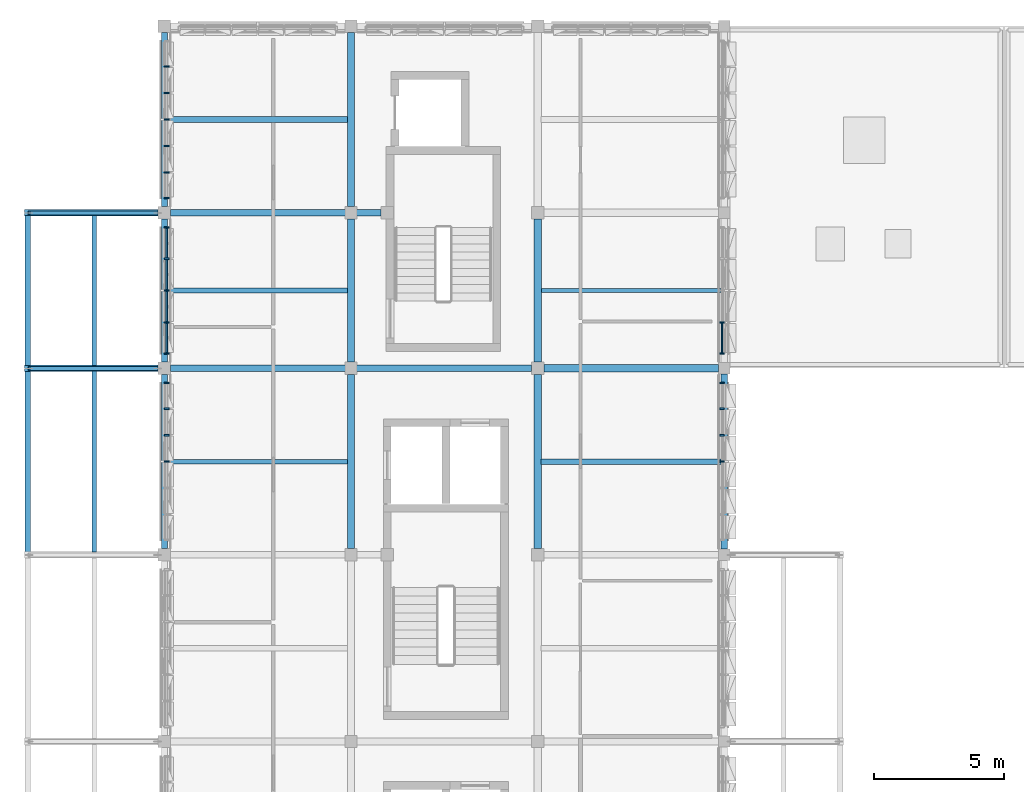
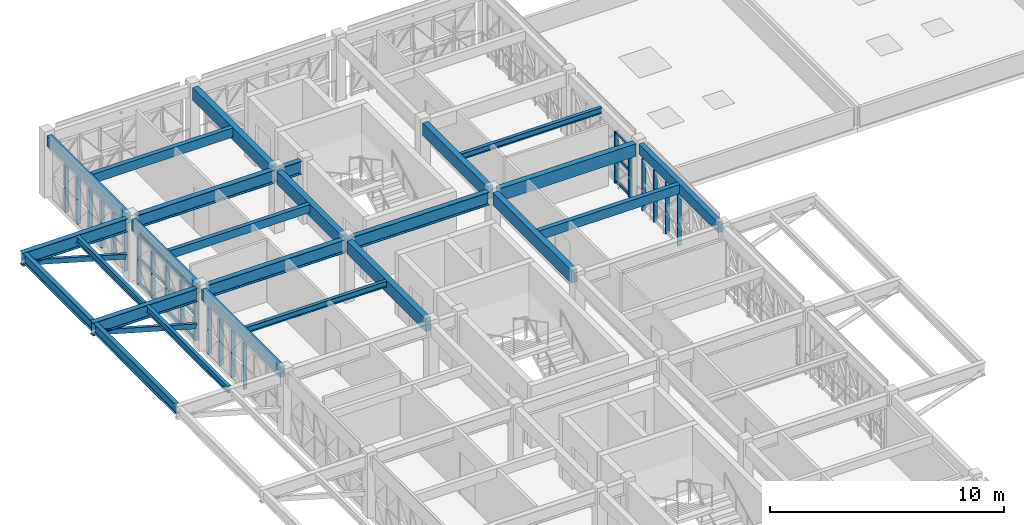
# One storey, part 5 of 30: 38 members, 23 beams, 5 elements without a shape of their own.
"""IFC4 building model written with IfcOpenShell, lengths in metres."""

from ifc_helpers import new_model, si_unit, direction, frame, origin, origin_2d, place, context, subcontext, project, spatial, rectangle, hollow_rectangle, i_section, extrude, material, material_profile, profile_set, type_object, element, aggregate, save


model = new_model("IFC4")

# Units and contexts
model_context = context("Model", 3, precision=1e-05, world=origin(), true_north=direction((0.0, 1.0)))
body_context = subcontext(model_context, "Body", "Model", "MODEL_VIEW")
ifc_project = project(units=[si_unit("LENGTHUNIT", "METRE"), si_unit("AREAUNIT", "SQUARE_METRE"), si_unit("VOLUMEUNIT", "CUBIC_METRE"), si_unit("PLANEANGLEUNIT", "RADIAN"), si_unit("MASSUNIT", "GRAM", prefix="KILO")], contexts=[model_context])

# Site, building, storey
site_placement = place(None, origin())
site = spatial("IfcSite", under=ifc_project, at=site_placement, CompositionType="ELEMENT")
building_placement = place(site_placement, origin())
building = spatial("IfcBuilding", under=site, at=building_placement, Name="Alvorim Cloister Faculty of Sciences", CompositionType="ELEMENT")
storey_placement = place(building_placement, frame((0.0, 0.0, 26.25)))
storey = spatial("IfcBuildingStorey", under=building, at=storey_placement, Name="L07", CompositionType="ELEMENT", Elevation=26.25)

# Beams
ifc_material_1 = material(Name="Glulam GL28h", Category="wood")
ifc_material_profile_1 = material_profile(ifc_material_1, rectangle(XDim=0.280029296875, YDim=0.659912109375, at=origin_2d()), Name="GL28-BM-280x660")
ifc_profile_set_1 = profile_set([ifc_material_profile_1], Name="Glulam GL28h")
beam_type_1 = type_object("IfcBeamType", Name="BM-GL-280x660", PredefinedType="BEAM", material=ifc_profile_set_1)
beam_1_placement = place(storey_placement, frame((21.840087890625, 43.199951171875, 2.909912109375), z_axis=(1.0, 0.0, 0.0), x_axis=(0.0, 1.0, 0.0)))
element("IfcBeam", 1, at=beam_1_placement, inside=storey, type_object=beam_type_1, Name="L07 Primary Beam BM-2121", PredefinedType="BEAM", context=body_context, shape_type="SweptSolid", body=[
    extrude(rectangle(XDim=0.280029296875, YDim=0.659912109375, at=origin_2d()), origin(), (0.0, 0.0, 1.0), 6.739990234375),
])
beam_2_placement = place(storey_placement, frame((14.39990234375, 36.239990234375, 2.909912109375), z_axis=(0.0, 1.0, 0.0), x_axis=(-1.0, 0.0, 0.0)))
element("IfcBeam", 2, at=beam_2_placement, inside=storey, type_object=beam_type_1, Name="L07 Primary Girder BM-2137", PredefinedType="BEAM", context=body_context, shape_type="SweptSolid", body=[
    extrude(rectangle(XDim=0.280029296875, YDim=0.659912109375, at=origin_2d()), origin(), (0.0, 0.0, 1.0), 6.719970703125),
])
beam_3_placement = place(storey_placement, frame((14.39990234375, 43.43994140625, 2.909912109375), z_axis=(0.0, 1.0, 0.0), x_axis=(-1.0, 0.0, 0.0)))
element("IfcBeam", 3, at=beam_3_placement, inside=storey, type_object=beam_type_1, Name="L07 Primary Girder BM-2138", PredefinedType="BEAM", context=body_context, shape_type="SweptSolid", body=[
    extrude(rectangle(XDim=0.280029296875, YDim=0.659912109375, at=origin_2d()), origin(), (0.0, 0.0, 1.0), 5.52001953125),
])
for number, where, z_axis, x_axis, name in (
    (4, (14.39990234375, 49.43994140625, 2.909912109375), (0.0, 1.0, 0.0), (-1.0, 0.0, 0.0), "L07 Primary Girder BM-2139"),
    (5, (21.60009765625, 36.239990234375, 2.909912109375), (0.0, 1.0, 0.0), (-1.0, 0.0, 0.0), "L07 Primary Girder BM-2144"),
):
    element("IfcBeam", number, at=place(storey_placement, frame(where, z_axis=z_axis, x_axis=x_axis)), inside=storey, type_object=beam_type_1, Name=name, PredefinedType="BEAM", context=body_context, shape_type="SweptSolid", body=[
        extrude(rectangle(XDim=0.280029296875, YDim=0.659912109375, at=origin_2d()), origin(), (0.0, 0.0, 1.0), 6.719970703125),
    ])
beam_4_placement = place(storey_placement, frame((21.60009765625, 43.43994140625, 2.909912109375), z_axis=(0.0, 1.0, 0.0), x_axis=(-1.0, 0.0, 0.0)))
element("IfcBeam", 6, at=beam_4_placement, inside=storey, type_object=beam_type_1, Name="L07 Primary Girder BM-2145", PredefinedType="BEAM", context=body_context, shape_type="SweptSolid", body=[
    extrude(rectangle(XDim=0.280029296875, YDim=0.659912109375, at=origin_2d()), origin(), (0.0, 0.0, 1.0), 5.52001953125),
])
ifc_material_profile_2 = material_profile(ifc_material_1, rectangle(XDim=0.199951171875, YDim=0.419921875, at=origin_2d()), Name="GL28-JST-200x420")
ifc_profile_set_2 = profile_set([ifc_material_profile_2], Name="Glulam GL28h")
beam_type_2 = type_object("IfcBeamType", Name="BM-JST-GL-200x420", PredefinedType="JOIST", material=ifc_profile_set_2)
beam_5_placement = place(storey_placement, frame((7.320068359375, 46.199951171875, 3.030029296875), z_axis=(1.0, 0.0, 0.0), x_axis=(0.0, 1.0, 0.0)))
element("IfcBeam", 7, at=beam_5_placement, inside=storey, type_object=beam_type_2, Name="L07 Secondary Floor Joist BM-2159", PredefinedType="JOIST", context=body_context, shape_type="SweptSolid", body=[
    extrude(rectangle(XDim=0.199951171875, YDim=0.419921875, at=origin_2d()), origin(), (0.0, 0.0, 1.0), 6.93994140625),
])
ifc_material_profile_3 = material_profile(ifc_material_1, rectangle(XDim=0.219970703125, YDim=0.47998046875, at=origin_2d()), Name="GL28-JST-220x480")
ifc_profile_set_3 = profile_set([ifc_material_profile_3], Name="Glulam GL28h")
beam_type_3 = type_object("IfcBeamType", Name="BM-JST-GL-220x480", PredefinedType="JOIST", material=ifc_profile_set_3)
for number, where, z_axis, x_axis, name in (
    (8, (7.320068359375, 52.800048828125, 3.0), (1.0, 0.0, 0.0), (0.0, 1.0, 0.0), "L07 Secondary Floor Joist BM-2160"),
    (9, (21.739990234375, 39.60009765625, 3.0), (1.0, 0.0, 0.0), (0.0, 1.0, 0.0), "L07 Secondary Floor Joist BM-2166"),
):
    element("IfcBeam", number, at=place(storey_placement, frame(where, z_axis=z_axis, x_axis=x_axis)), inside=storey, type_object=beam_type_3, Name=name, PredefinedType="JOIST", context=body_context, shape_type="SweptSolid", body=[
        extrude(rectangle(XDim=0.219970703125, YDim=0.47998046875, at=origin_2d()), origin(), (0.0, 0.0, 1.0), 6.93994140625),
    ])
ifc_material_profile_4 = material_profile(ifc_material_1, rectangle(XDim=0.239990234375, YDim=0.5400390625, at=origin_2d()), Name="GL28-SPD-240x540")
ifc_profile_set_4 = profile_set([ifc_material_profile_4], Name="Glulam GL28h")
beam_type_4 = type_object("IfcBeamType", Name="BM-SPD-GL-240x540", PredefinedType="SPANDREL", material=ifc_profile_set_4)
beam_6_placement = place(storey_placement, frame((7.199951171875, 36.239990234375, 2.969970703125), z_axis=(0.0, 1.0, 0.0), x_axis=(-1.0, 0.0, 0.0)))
element("IfcBeam", 10, at=beam_6_placement, inside=storey, type_object=beam_type_4, Name="L07 Primary Girder BM-2130", PredefinedType="SPANDREL", context=body_context, shape_type="SweptSolid", body=[
    extrude(rectangle(XDim=0.239990234375, YDim=0.5400390625, at=origin_2d()), origin(), (0.0, 0.0, 1.0), 6.719970703125),
])
beam_7_placement = place(storey_placement, frame((7.199951171875, 43.43994140625, 2.969970703125), z_axis=(0.0, 1.0, 0.0), x_axis=(-1.0, 0.0, 0.0)))
element("IfcBeam", 11, at=beam_7_placement, inside=storey, type_object=beam_type_4, Name="L07 Primary Girder BM-2131", PredefinedType="SPANDREL", context=body_context, shape_type="SweptSolid", body=[
    extrude(rectangle(XDim=0.239990234375, YDim=0.5400390625, at=origin_2d()), origin(), (0.0, 0.0, 1.0), 5.52001953125),
])
beam_8_placement = place(storey_placement, frame((7.199951171875, 49.43994140625, 2.969970703125), z_axis=(0.0, 1.0, 0.0), x_axis=(-1.0, 0.0, 0.0)))
element("IfcBeam", 12, at=beam_8_placement, inside=storey, type_object=beam_type_4, Name="L07 Primary Girder BM-2132", PredefinedType="SPANDREL", context=body_context, shape_type="SweptSolid", body=[
    extrude(rectangle(XDim=0.239990234375, YDim=0.5400390625, at=origin_2d()), origin(), (0.0, 0.0, 1.0), 6.719970703125),
])
beam_9_placement = place(storey_placement, frame((28.800048828125, 36.219970703125, 2.969970703125), z_axis=(0.0, 1.0, 0.0), x_axis=(-1.0, 0.0, 0.0)))
element("IfcBeam", 13, at=beam_9_placement, inside=storey, type_object=beam_type_4, Name="L07 Primary Girder BM-2151", PredefinedType="SPANDREL", context=body_context, shape_type="SweptSolid", body=[
    extrude(rectangle(XDim=0.239990234375, YDim=0.5400390625, at=origin_2d()), origin(), (0.0, 0.0, 1.0), 6.760009765625),
])
ifc_material_2 = material(Name="Steel ASTM A572 Grade 50", Category="steel")
ifc_material_profile_5 = material_profile(ifc_material_2, i_section(OverallWidth=0.1650390625, OverallDepth=0.31005859375, WebThickness=0.005859375, FlangeThickness=0.009765625, FilletRadius=0.010986328125, at=origin_2d()), Name="W310x38.7")
ifc_profile_set_5 = profile_set([ifc_material_profile_5], Name="Steel ASTM A572 Grade 50")
beam_type_5 = type_object("IfcBeamType", Name="BM-STL-W310", PredefinedType="JOIST", material=ifc_profile_set_5)
for number, where, z_axis, x_axis, name in (
    (14, (7.320068359375, 39.60009765625, 3.0849609375), (1.0, 0.0, 0.0), (0.0, 1.0, 0.0), "L07 Secondary Floor Joist BM-2158"),
    (15, (21.739990234375, 46.199951171875, 3.0849609375), (1.0, 0.0, 0.0), (0.0, 1.0, 0.0), "L07 Secondary Floor Joist BM-2167"),
):
    element("IfcBeam", number, at=place(storey_placement, frame(where, z_axis=z_axis, x_axis=x_axis)), inside=storey, type_object=beam_type_5, Name=name, PredefinedType="JOIST", context=body_context, shape_type="SweptSolid", body=[
        extrude(i_section(OverallWidth=0.1650390625, OverallDepth=0.31005859375, WebThickness=0.005859375, FlangeThickness=0.009765625, FilletRadius=0.010986328125, at=origin_2d()), origin(), (0.0, 0.0, 1.0), 6.93994140625),
    ])
ifc_material_profile_6 = material_profile(ifc_material_2, i_section(OverallWidth=0.1708984375, OverallDepth=0.35498046875, WebThickness=0.007080078125, FlangeThickness=0.01171875, FilletRadius=0.012939453125, at=origin_2d()), Name="W360x51.0")
ifc_profile_set_6 = profile_set([ifc_material_profile_6], Name="Steel ASTM A572 Grade 50")
beam_type_6 = type_object("IfcBeamType", Name="BM-STL-W360", PredefinedType="JOIST", material=ifc_profile_set_6)
beam_10_placement = place(storey_placement, frame((4.5, 36.110107421875, 3.0625), z_axis=(0.0, 1.0, 0.0), x_axis=(-1.0, 0.0, 0.0)))
element("IfcBeam", 16, at=beam_10_placement, inside=storey, type_object=beam_type_6, Name="L07 Cantilever Deck Joist BM-0184", PredefinedType="JOIST", context=body_context, shape_type="SweptSolid", body=[
    extrude(i_section(OverallWidth=0.1708984375, OverallDepth=0.35498046875, WebThickness=0.007080078125, FlangeThickness=0.01171875, FilletRadius=0.012939453125, at=origin_2d()), origin(), (0.0, 0.0, 1.0), 6.97998046875),
])
beam_11_placement = place(storey_placement, frame((4.5, 43.31005859375, 3.0625), z_axis=(0.0, 1.0, 0.0), x_axis=(-1.0, 0.0, 0.0)))
element("IfcBeam", 17, at=beam_11_placement, inside=storey, type_object=beam_type_6, Name="L07 Cantilever Deck Joist BM-0186", PredefinedType="JOIST", context=body_context, shape_type="SweptSolid", body=[
    extrude(i_section(OverallWidth=0.1708984375, OverallDepth=0.35498046875, WebThickness=0.007080078125, FlangeThickness=0.01171875, FilletRadius=0.012939453125, at=origin_2d()), origin(), (0.0, 0.0, 1.0), 5.780029296875),
])
ifc_material_profile_7 = material_profile(ifc_material_2, i_section(OverallWidth=0.208984375, OverallDepth=0.532958984375, WebThickness=0.01025390625, FlangeThickness=0.015625, FilletRadius=0.01611328125, at=origin_2d()), Name="W530x92.0")
ifc_profile_set_7 = profile_set([ifc_material_profile_7], Name="Steel ASTM A572 Grade 50")
beam_type_7 = type_object("IfcBeamType", Name="BM-STL-W530", PredefinedType="BEAM", material=ifc_profile_set_7)
beam_12_placement = place(storey_placement, frame((1.919921875, 36.110107421875, 2.973388671875), z_axis=(0.0, 1.0, 0.0), x_axis=(-1.0, 0.0, 0.0)))
element("IfcBeam", 18, at=beam_12_placement, inside=storey, type_object=beam_type_7, Name="L07 Cantilever Tip Header Girder BM-0183", PredefinedType="BEAM", context=body_context, shape_type="SweptSolid", body=[
    extrude(i_section(OverallWidth=0.208984375, OverallDepth=0.532958984375, WebThickness=0.01025390625, FlangeThickness=0.015625, FilletRadius=0.01611328125, at=origin_2d()), origin(), (0.0, 0.0, 1.0), 6.97998046875),
])
beam_13_placement = place(storey_placement, frame((1.919921875, 43.31005859375, 2.973388671875), z_axis=(0.0, 1.0, 0.0), x_axis=(-1.0, 0.0, 0.0)))
element("IfcBeam", 19, at=beam_13_placement, inside=storey, type_object=beam_type_7, Name="L07 Cantilever Tip Header Girder BM-0185", PredefinedType="BEAM", context=body_context, shape_type="SweptSolid", body=[
    extrude(i_section(OverallWidth=0.208984375, OverallDepth=0.532958984375, WebThickness=0.01025390625, FlangeThickness=0.015625, FilletRadius=0.01611328125, at=origin_2d()), origin(), (0.0, 0.0, 1.0), 5.780029296875),
])
ifc_material_profile_8 = material_profile(ifc_material_2, i_section(OverallWidth=0.25390625, OverallDepth=0.68408203125, WebThickness=0.012451171875, FlangeThickness=0.01904296875, FilletRadius=0.01904296875, at=origin_2d()), Name="W690x140.0")
ifc_profile_set_8 = profile_set([ifc_material_profile_8], Name="Steel ASTM A572 Grade 50")
beam_type_8 = type_object("IfcBeamType", Name="BM-STL-W690", PredefinedType="BEAM", material=ifc_profile_set_8)
beam_14_placement = place(storey_placement, frame((7.43994140625, 43.199951171875, 2.89794921875), z_axis=(1.0, 0.0, 0.0), x_axis=(0.0, 1.0, 0.0)))
element("IfcBeam", 20, at=beam_14_placement, inside=storey, type_object=beam_type_8, Name="L07 Cantilever Backspan Girder BM-0175", PredefinedType="BEAM", context=body_context, shape_type="SweptSolid", body=[
    extrude(i_section(OverallWidth=0.25390625, OverallDepth=0.68408203125, WebThickness=0.012451171875, FlangeThickness=0.01904296875, FilletRadius=0.01904296875, at=origin_2d()), origin(), (0.0, 0.0, 1.0), 13.920166015625),
])
beam_15_placement = place(storey_placement, frame((1.800048828125, 43.199951171875, 2.89794921875), z_axis=(1.0, 0.0, 0.0), x_axis=(0.0, 1.0, 0.0)))
element("IfcBeam", 21, at=beam_15_placement, inside=storey, type_object=beam_type_8, Name="L07 Cantilever Overhang Girder BM-0176", PredefinedType="BEAM", context=body_context, shape_type="SweptSolid", body=[
    extrude(i_section(OverallWidth=0.25390625, OverallDepth=0.68408203125, WebThickness=0.012451171875, FlangeThickness=0.01904296875, FilletRadius=0.01904296875, at=origin_2d()), origin(), (0.0, 0.0, 1.0), 5.159912109375),
])
beam_16_placement = place(storey_placement, frame((7.43994140625, 49.199951171875, 2.89794921875), z_axis=(1.0, 0.0, 0.0), x_axis=(0.0, 1.0, 0.0)))
element("IfcBeam", 22, at=beam_16_placement, inside=storey, type_object=beam_type_8, Name="L07 Cantilever Backspan Girder BM-0177", PredefinedType="BEAM", context=body_context, shape_type="SweptSolid", body=[
    extrude(i_section(OverallWidth=0.25390625, OverallDepth=0.68408203125, WebThickness=0.012451171875, FlangeThickness=0.01904296875, FilletRadius=0.01904296875, at=origin_2d()), origin(), (0.0, 0.0, 1.0), 8.1201171875),
])
beam_17_placement = place(storey_placement, frame((1.800048828125, 49.199951171875, 2.89794921875), z_axis=(1.0, 0.0, 0.0), x_axis=(0.0, 1.0, 0.0)))
element("IfcBeam", 23, at=beam_17_placement, inside=storey, type_object=beam_type_8, Name="L07 Cantilever Overhang Girder BM-0178", PredefinedType="BEAM", context=body_context, shape_type="SweptSolid", body=[
    extrude(i_section(OverallWidth=0.25390625, OverallDepth=0.68408203125, WebThickness=0.012451171875, FlangeThickness=0.01904296875, FilletRadius=0.01904296875, at=origin_2d()), origin(), (0.0, 0.0, 1.0), 5.159912109375),
])

# Curtain wall, members
ifc_material_3 = material(Name="Aluminium and Low-E Glass Curtain Wall", Category="aluminium")
curtain_wall_type_1 = type_object("IfcCurtainWallType", Name="CW-TRI-6120x2700", PredefinedType="USERDEFINED", material=ifc_material_3)
curtain_wall_1_placement = place(storey_placement, origin())
curtain_wall_1 = element("IfcCurtainWall", 24, at=curtain_wall_1_placement, inside=storey, type_object=curtain_wall_type_1, Name="L07 Diagonal Cassette Curtain Wall CW-0269", ObjectType="UNITISED CURTAIN WALL", PredefinedType="USERDEFINED")
ifc_material_4 = material(Name="Aluminium Alloy 6063-T6", Category="aluminium")
ifc_material_profile_9 = material_profile(ifc_material_4, rectangle(XDim=0.06494140625, YDim=0.179931640625, at=origin_2d()), Name="ALU-MUL-65x180")
ifc_profile_set_9 = profile_set([ifc_material_profile_9], Name="Aluminium Alloy 6063-T6")
member_type_1 = type_object("IfcMemberType", Name="CW-MUL-65x180", PredefinedType="MULLION", material=ifc_profile_set_9)
member_1_placement = place(storey_placement, frame((7.2900390625, 39.60009765625, 0.0), z_axis=(0.0, 0.0, 1.0), x_axis=(0.0, 1.0, 0.0)))
member_1 = element("IfcMember", 25, at=member_1_placement, type_object=member_type_1, Name="CW-0269 Mullion 4", PredefinedType="MULLION", context=body_context, shape_type="SweptSolid", body=[
    extrude(rectangle(XDim=0.06494140625, YDim=0.179931640625, at=origin_2d()), origin(), (0.0, 0.0, 1.0), 2.699951171875),
])
member_2_placement = place(storey_placement, frame((7.2900390625, 40.6201171875, 0.0), z_axis=(0.0, 0.0, 1.0), x_axis=(0.0, 1.0, 0.0)))
member_2 = element("IfcMember", 26, at=member_2_placement, type_object=member_type_1, Name="CW-0269 Mullion 5", PredefinedType="MULLION", context=body_context, shape_type="SweptSolid", body=[
    extrude(rectangle(XDim=0.06494140625, YDim=0.179931640625, at=origin_2d()), origin(), (0.0, 0.0, 1.0), 2.699951171875),
])
member_3_placement = place(storey_placement, frame((7.2900390625, 41.639892578125, 0.0), z_axis=(0.0, 0.0, 1.0), x_axis=(0.0, 1.0, 0.0)))
member_3 = element("IfcMember", 27, at=member_3_placement, type_object=member_type_1, Name="CW-0269 Mullion 6", PredefinedType="MULLION", context=body_context, shape_type="SweptSolid", body=[
    extrude(rectangle(XDim=0.06494140625, YDim=0.179931640625, at=origin_2d()), origin(), (0.0, 0.0, 1.0), 2.699951171875),
])
member_4_placement = place(storey_placement, frame((7.2900390625, 42.62744140625, 0.0), z_axis=(0.0, 0.0, 1.0), x_axis=(0.0, 1.0, 0.0)))
member_4 = element("IfcMember", 28, at=member_4_placement, type_object=member_type_1, Name="CW-0269 Mullion 7", PredefinedType="MULLION", context=body_context, shape_type="SweptSolid", body=[
    extrude(rectangle(XDim=0.06494140625, YDim=0.179931640625, at=origin_2d()), origin(), (0.0, 0.0, 1.0), 2.699951171875),
])
aggregate(curtain_wall_1, [member_1, member_2, member_3, member_4])

curtain_wall_type_2 = type_object("IfcCurtainWallType", Name="CW-TRI-4920x2700", PredefinedType="USERDEFINED", material=ifc_material_3)
curtain_wall_2_placement = place(storey_placement, origin())
curtain_wall_2 = element("IfcCurtainWall", 29, at=curtain_wall_2_placement, inside=storey, type_object=curtain_wall_type_2, Name="L07 Diagonal Cassette Curtain Wall CW-0270", ObjectType="UNITISED CURTAIN WALL", PredefinedType="USERDEFINED")
member_5_placement = place(storey_placement, frame((7.2900390625, 43.7724609375, 0.0), z_axis=(0.0, 0.0, 1.0), x_axis=(0.0, 1.0, 0.0)))
member_5 = element("IfcMember", 30, at=member_5_placement, type_object=member_type_1, Name="CW-0270 Mullion 1", PredefinedType="MULLION", context=body_context, shape_type="SweptSolid", body=[
    extrude(rectangle(XDim=0.06494140625, YDim=0.179931640625, at=origin_2d()), origin(), (0.0, 0.0, 1.0), 2.699951171875),
])
member_6_placement = place(storey_placement, frame((7.2900390625, 44.969970703125, 0.0), z_axis=(0.0, 0.0, 1.0), x_axis=(0.0, 1.0, 0.0)))
member_6 = element("IfcMember", 31, at=member_6_placement, type_object=member_type_1, Name="CW-0270 Mullion 2", PredefinedType="MULLION", context=body_context, shape_type="SweptSolid", body=[
    extrude(rectangle(XDim=0.06494140625, YDim=0.179931640625, at=origin_2d()), origin(), (0.0, 0.0, 1.0), 2.699951171875),
])
member_7_placement = place(storey_placement, frame((7.2900390625, 46.199951171875, 0.0), z_axis=(0.0, 0.0, 1.0), x_axis=(0.0, 1.0, 0.0)))
member_7 = element("IfcMember", 32, at=member_7_placement, type_object=member_type_1, Name="CW-0270 Mullion 3", PredefinedType="MULLION", context=body_context, shape_type="SweptSolid", body=[
    extrude(rectangle(XDim=0.06494140625, YDim=0.179931640625, at=origin_2d()), origin(), (0.0, 0.0, 1.0), 2.699951171875),
])
member_8_placement = place(storey_placement, frame((7.2900390625, 47.429931640625, 0.0), z_axis=(0.0, 0.0, 1.0), x_axis=(0.0, 1.0, 0.0)))
member_8 = element("IfcMember", 33, at=member_8_placement, type_object=member_type_1, Name="CW-0270 Mullion 4", PredefinedType="MULLION", context=body_context, shape_type="SweptSolid", body=[
    extrude(rectangle(XDim=0.06494140625, YDim=0.179931640625, at=origin_2d()), origin(), (0.0, 0.0, 1.0), 2.699951171875),
])
member_9_placement = place(storey_placement, frame((7.2900390625, 48.62744140625, 0.0), z_axis=(0.0, 0.0, 1.0), x_axis=(0.0, 1.0, 0.0)))
member_9 = element("IfcMember", 34, at=member_9_placement, type_object=member_type_1, Name="CW-0270 Mullion 5", PredefinedType="MULLION", context=body_context, shape_type="SweptSolid", body=[
    extrude(rectangle(XDim=0.06494140625, YDim=0.179931640625, at=origin_2d()), origin(), (0.0, 0.0, 1.0), 2.699951171875),
])

curtain_wall_3_placement = place(storey_placement, origin())
curtain_wall_3 = element("IfcCurtainWall", 35, at=curtain_wall_3_placement, inside=storey, type_object=curtain_wall_type_1, Name="L07 Diagonal Cassette Curtain Wall CW-0271", ObjectType="UNITISED CURTAIN WALL", PredefinedType="USERDEFINED")
member_10_placement = place(storey_placement, frame((7.2900390625, 49.7724609375, 0.0), z_axis=(0.0, 0.0, 1.0), x_axis=(0.0, 1.0, 0.0)))
member_10 = element("IfcMember", 36, at=member_10_placement, type_object=member_type_1, Name="CW-0271 Mullion 1", PredefinedType="MULLION", context=body_context, shape_type="SweptSolid", body=[
    extrude(rectangle(XDim=0.06494140625, YDim=0.179931640625, at=origin_2d()), origin(), (0.0, 0.0, 1.0), 2.699951171875),
])
member_11_placement = place(storey_placement, frame((7.2900390625, 50.760009765625, 0.0), z_axis=(0.0, 0.0, 1.0), x_axis=(0.0, 1.0, 0.0)))
member_11 = element("IfcMember", 37, at=member_11_placement, type_object=member_type_1, Name="CW-0271 Mullion 2", PredefinedType="MULLION", context=body_context, shape_type="SweptSolid", body=[
    extrude(rectangle(XDim=0.06494140625, YDim=0.179931640625, at=origin_2d()), origin(), (0.0, 0.0, 1.0), 2.699951171875),
])
member_12_placement = place(storey_placement, frame((7.2900390625, 51.780029296875, 0.0), z_axis=(0.0, 0.0, 1.0), x_axis=(0.0, 1.0, 0.0)))
member_12 = element("IfcMember", 38, at=member_12_placement, type_object=member_type_1, Name="CW-0271 Mullion 3", PredefinedType="MULLION", context=body_context, shape_type="SweptSolid", body=[
    extrude(rectangle(XDim=0.06494140625, YDim=0.179931640625, at=origin_2d()), origin(), (0.0, 0.0, 1.0), 2.699951171875),
])
member_13_placement = place(storey_placement, frame((7.2900390625, 52.800048828125, 0.0), z_axis=(0.0, 0.0, 1.0), x_axis=(0.0, 1.0, 0.0)))
member_13 = element("IfcMember", 39, at=member_13_placement, type_object=member_type_1, Name="CW-0271 Mullion 4", PredefinedType="MULLION", context=body_context, shape_type="SweptSolid", body=[
    extrude(rectangle(XDim=0.06494140625, YDim=0.179931640625, at=origin_2d()), origin(), (0.0, 0.0, 1.0), 2.699951171875),
])
member_14_placement = place(storey_placement, frame((7.2900390625, 53.820068359375, 0.0), z_axis=(0.0, 0.0, 1.0), x_axis=(0.0, 1.0, 0.0)))
member_14 = element("IfcMember", 40, at=member_14_placement, type_object=member_type_1, Name="CW-0271 Mullion 5", PredefinedType="MULLION", context=body_context, shape_type="SweptSolid", body=[
    extrude(rectangle(XDim=0.06494140625, YDim=0.179931640625, at=origin_2d()), origin(), (0.0, 0.0, 1.0), 2.699951171875),
])
member_15_placement = place(storey_placement, frame((7.2900390625, 54.840087890625, 0.0), z_axis=(0.0, 0.0, 1.0), x_axis=(0.0, 1.0, 0.0)))
member_15 = element("IfcMember", 41, at=member_15_placement, type_object=member_type_1, Name="CW-0271 Mullion 6", PredefinedType="MULLION", context=body_context, shape_type="SweptSolid", body=[
    extrude(rectangle(XDim=0.06494140625, YDim=0.179931640625, at=origin_2d()), origin(), (0.0, 0.0, 1.0), 2.699951171875),
])
aggregate(curtain_wall_3, [member_10, member_11, member_12, member_13, member_14, member_15])

curtain_wall_4_placement = place(storey_placement, origin())
curtain_wall_4 = element("IfcCurtainWall", 42, at=curtain_wall_4_placement, inside=storey, type_object=curtain_wall_type_2, Name="L07 Diagonal Cassette Curtain Wall CW-0276", ObjectType="UNITISED CURTAIN WALL", PredefinedType="USERDEFINED")
member_16_placement = place(storey_placement, frame((28.7099609375, 43.7724609375, 0.0), z_axis=(0.0, 0.0, 1.0), x_axis=(0.0, 1.0, 0.0)))
member_16 = element("IfcMember", 43, at=member_16_placement, type_object=member_type_1, Name="CW-0276 Mullion 1", PredefinedType="MULLION", context=body_context, shape_type="SweptSolid", body=[
    extrude(rectangle(XDim=0.06494140625, YDim=0.179931640625, at=origin_2d()), origin(), (0.0, 0.0, 1.0), 2.699951171875),
])
member_17_placement = place(storey_placement, frame((28.7099609375, 44.969970703125, 0.0), z_axis=(0.0, 0.0, 1.0), x_axis=(0.0, 1.0, 0.0)))
member_17 = element("IfcMember", 44, at=member_17_placement, type_object=member_type_1, Name="CW-0276 Mullion 2", PredefinedType="MULLION", context=body_context, shape_type="SweptSolid", body=[
    extrude(rectangle(XDim=0.06494140625, YDim=0.179931640625, at=origin_2d()), origin(), (0.0, 0.0, 1.0), 2.699951171875),
])

curtain_wall_5_placement = place(storey_placement, origin())
curtain_wall_5 = element("IfcCurtainWall", 45, at=curtain_wall_5_placement, inside=storey, type_object=curtain_wall_type_1, Name="L07 Diagonal Cassette Curtain Wall CW-0277", ObjectType="UNITISED CURTAIN WALL", PredefinedType="USERDEFINED")
member_18_placement = place(storey_placement, frame((28.7099609375, 39.60009765625, 0.0), z_axis=(0.0, 0.0, 1.0), x_axis=(0.0, 1.0, 0.0)))
member_18 = element("IfcMember", 46, at=member_18_placement, type_object=member_type_1, Name="CW-0277 Mullion 4", PredefinedType="MULLION", context=body_context, shape_type="SweptSolid", body=[
    extrude(rectangle(XDim=0.06494140625, YDim=0.179931640625, at=origin_2d()), origin(), (0.0, 0.0, 1.0), 2.699951171875),
])
member_19_placement = place(storey_placement, frame((28.7099609375, 40.6201171875, 0.0), z_axis=(0.0, 0.0, 1.0), x_axis=(0.0, 1.0, 0.0)))
member_19 = element("IfcMember", 47, at=member_19_placement, type_object=member_type_1, Name="CW-0277 Mullion 5", PredefinedType="MULLION", context=body_context, shape_type="SweptSolid", body=[
    extrude(rectangle(XDim=0.06494140625, YDim=0.179931640625, at=origin_2d()), origin(), (0.0, 0.0, 1.0), 2.699951171875),
])
member_20_placement = place(storey_placement, frame((28.7099609375, 41.639892578125, 0.0), z_axis=(0.0, 0.0, 1.0), x_axis=(0.0, 1.0, 0.0)))
member_20 = element("IfcMember", 48, at=member_20_placement, type_object=member_type_1, Name="CW-0277 Mullion 6", PredefinedType="MULLION", context=body_context, shape_type="SweptSolid", body=[
    extrude(rectangle(XDim=0.06494140625, YDim=0.179931640625, at=origin_2d()), origin(), (0.0, 0.0, 1.0), 2.699951171875),
])
member_21_placement = place(storey_placement, frame((28.7099609375, 42.62744140625, 0.0), z_axis=(0.0, 0.0, 1.0), x_axis=(0.0, 1.0, 0.0)))
member_21 = element("IfcMember", 49, at=member_21_placement, type_object=member_type_1, Name="CW-0277 Mullion 7", PredefinedType="MULLION", context=body_context, shape_type="SweptSolid", body=[
    extrude(rectangle(XDim=0.06494140625, YDim=0.179931640625, at=origin_2d()), origin(), (0.0, 0.0, 1.0), 2.699951171875),
])
aggregate(curtain_wall_5, [member_18, member_19, member_20, member_21])

# Member
ifc_material_profile_10 = material_profile(ifc_material_4, rectangle(XDim=0.06494140625, YDim=0.139892578125, at=origin_2d()), Name="ALU-TRN-65x140")
ifc_profile_set_10 = profile_set([ifc_material_profile_10], Name="Aluminium Alloy 6063-T6")
member_type_2 = type_object("IfcMemberType", Name="CW-TRN-65x140", PredefinedType="USERDEFINED", material=ifc_profile_set_10)
member_22_placement = place(storey_placement, frame((7.2900390625, 43.804931640625, 0.070068359375), z_axis=(0.0, 1.0, 0.0), x_axis=(-1.0, 0.0, 0.0)))
member_22 = element("IfcMember", 50, at=member_22_placement, type_object=member_type_2, Name="CW-0270 Transom 1.1", ObjectType="TRANSOM", PredefinedType="USERDEFINED", context=body_context, shape_type="SweptSolid", body=[
    extrude(rectangle(XDim=0.06494140625, YDim=0.139892578125, at=origin_2d()), origin(), (0.0, 0.0, 1.0), 1.132568359375),
])

member_23_placement = place(storey_placement, frame((7.2900390625, 43.804931640625, 1.35009765625), z_axis=(0.0, 1.0, 0.0), x_axis=(-1.0, 0.0, 0.0)))
member_23 = element("IfcMember", 51, at=member_23_placement, type_object=member_type_2, Name="CW-0270 Transom 1.2", ObjectType="TRANSOM", PredefinedType="USERDEFINED", context=body_context, shape_type="SweptSolid", body=[
    extrude(rectangle(XDim=0.06494140625, YDim=0.139892578125, at=origin_2d()), origin(), (0.0, 0.0, 1.0), 1.132568359375),
])

member_24_placement = place(storey_placement, frame((7.2900390625, 43.804931640625, 2.6298828125), z_axis=(0.0, 1.0, 0.0), x_axis=(-1.0, 0.0, 0.0)))
member_24 = element("IfcMember", 52, at=member_24_placement, type_object=member_type_2, Name="CW-0270 Transom 1.3", ObjectType="TRANSOM", PredefinedType="USERDEFINED", context=body_context, shape_type="SweptSolid", body=[
    extrude(rectangle(XDim=0.06494140625, YDim=0.139892578125, at=origin_2d()), origin(), (0.0, 0.0, 1.0), 1.132568359375),
])

member_25_placement = place(storey_placement, frame((7.2900390625, 45.00244140625, 0.070068359375), z_axis=(0.0, 1.0, 0.0), x_axis=(-1.0, 0.0, 0.0)))
member_25 = element("IfcMember", 53, at=member_25_placement, type_object=member_type_2, Name="CW-0270 Transom 2.1", ObjectType="TRANSOM", PredefinedType="USERDEFINED", context=body_context, shape_type="SweptSolid", body=[
    extrude(rectangle(XDim=0.06494140625, YDim=0.139892578125, at=origin_2d()), origin(), (0.0, 0.0, 1.0), 1.1650390625),
])

member_26_placement = place(storey_placement, frame((7.2900390625, 45.00244140625, 1.35009765625), z_axis=(0.0, 1.0, 0.0), x_axis=(-1.0, 0.0, 0.0)))
member_26 = element("IfcMember", 54, at=member_26_placement, type_object=member_type_2, Name="CW-0270 Transom 2.2", ObjectType="TRANSOM", PredefinedType="USERDEFINED", context=body_context, shape_type="SweptSolid", body=[
    extrude(rectangle(XDim=0.06494140625, YDim=0.139892578125, at=origin_2d()), origin(), (0.0, 0.0, 1.0), 1.1650390625),
])

member_27_placement = place(storey_placement, frame((7.2900390625, 45.00244140625, 2.6298828125), z_axis=(0.0, 1.0, 0.0), x_axis=(-1.0, 0.0, 0.0)))
member_27 = element("IfcMember", 55, at=member_27_placement, type_object=member_type_2, Name="CW-0270 Transom 2.3", ObjectType="TRANSOM", PredefinedType="USERDEFINED", context=body_context, shape_type="SweptSolid", body=[
    extrude(rectangle(XDim=0.06494140625, YDim=0.139892578125, at=origin_2d()), origin(), (0.0, 0.0, 1.0), 1.1650390625),
])

member_28_placement = place(storey_placement, frame((7.2900390625, 46.232421875, 0.070068359375), z_axis=(0.0, 1.0, 0.0), x_axis=(-1.0, 0.0, 0.0)))
member_28 = element("IfcMember", 56, at=member_28_placement, type_object=member_type_2, Name="CW-0270 Transom 3.1", ObjectType="TRANSOM", PredefinedType="USERDEFINED", context=body_context, shape_type="SweptSolid", body=[
    extrude(rectangle(XDim=0.06494140625, YDim=0.139892578125, at=origin_2d()), origin(), (0.0, 0.0, 1.0), 1.1650390625),
])

member_29_placement = place(storey_placement, frame((7.2900390625, 46.232421875, 1.35009765625), z_axis=(0.0, 1.0, 0.0), x_axis=(-1.0, 0.0, 0.0)))
member_29 = element("IfcMember", 57, at=member_29_placement, type_object=member_type_2, Name="CW-0270 Transom 3.2", ObjectType="TRANSOM", PredefinedType="USERDEFINED", context=body_context, shape_type="SweptSolid", body=[
    extrude(rectangle(XDim=0.06494140625, YDim=0.139892578125, at=origin_2d()), origin(), (0.0, 0.0, 1.0), 1.1650390625),
])

member_30_placement = place(storey_placement, frame((7.2900390625, 46.232421875, 2.6298828125), z_axis=(0.0, 1.0, 0.0), x_axis=(-1.0, 0.0, 0.0)))
member_30 = element("IfcMember", 58, at=member_30_placement, type_object=member_type_2, Name="CW-0270 Transom 3.3", ObjectType="TRANSOM", PredefinedType="USERDEFINED", context=body_context, shape_type="SweptSolid", body=[
    extrude(rectangle(XDim=0.06494140625, YDim=0.139892578125, at=origin_2d()), origin(), (0.0, 0.0, 1.0), 1.1650390625),
])

member_31_placement = place(storey_placement, frame((7.2900390625, 47.46240234375, 0.070068359375), z_axis=(0.0, 1.0, 0.0), x_axis=(-1.0, 0.0, 0.0)))
member_31 = element("IfcMember", 59, at=member_31_placement, type_object=member_type_2, Name="CW-0270 Transom 4.1", ObjectType="TRANSOM", PredefinedType="USERDEFINED", context=body_context, shape_type="SweptSolid", body=[
    extrude(rectangle(XDim=0.06494140625, YDim=0.139892578125, at=origin_2d()), origin(), (0.0, 0.0, 1.0), 1.132568359375),
])

member_32_placement = place(storey_placement, frame((7.2900390625, 47.46240234375, 1.35009765625), z_axis=(0.0, 1.0, 0.0), x_axis=(-1.0, 0.0, 0.0)))
member_32 = element("IfcMember", 60, at=member_32_placement, type_object=member_type_2, Name="CW-0270 Transom 4.2", ObjectType="TRANSOM", PredefinedType="USERDEFINED", context=body_context, shape_type="SweptSolid", body=[
    extrude(rectangle(XDim=0.06494140625, YDim=0.139892578125, at=origin_2d()), origin(), (0.0, 0.0, 1.0), 1.132568359375),
])

member_33_placement = place(storey_placement, frame((7.2900390625, 47.46240234375, 2.6298828125), z_axis=(0.0, 1.0, 0.0), x_axis=(-1.0, 0.0, 0.0)))
member_33 = element("IfcMember", 61, at=member_33_placement, type_object=member_type_2, Name="CW-0270 Transom 4.3", ObjectType="TRANSOM", PredefinedType="USERDEFINED", context=body_context, shape_type="SweptSolid", body=[
    extrude(rectangle(XDim=0.06494140625, YDim=0.139892578125, at=origin_2d()), origin(), (0.0, 0.0, 1.0), 1.132568359375),
])

aggregate(curtain_wall_2, [member_5, member_6, member_7, member_8, member_9, member_22, member_23, member_24, member_25, member_26, member_27, member_28, member_29, member_30, member_31, member_32, member_33])

member_34_placement = place(storey_placement, frame((28.7099609375, 43.804931640625, 0.070068359375), z_axis=(0.0, 1.0, 0.0), x_axis=(-1.0, 0.0, 0.0)))
member_34 = element("IfcMember", 62, at=member_34_placement, type_object=member_type_2, Name="CW-0276 Transom 1.1", ObjectType="TRANSOM", PredefinedType="USERDEFINED", context=body_context, shape_type="SweptSolid", body=[
    extrude(rectangle(XDim=0.06494140625, YDim=0.139892578125, at=origin_2d()), origin(), (0.0, 0.0, 1.0), 1.132568359375),
])

member_35_placement = place(storey_placement, frame((28.7099609375, 43.804931640625, 1.35009765625), z_axis=(0.0, 1.0, 0.0), x_axis=(-1.0, 0.0, 0.0)))
member_35 = element("IfcMember", 63, at=member_35_placement, type_object=member_type_2, Name="CW-0276 Transom 1.2", ObjectType="TRANSOM", PredefinedType="USERDEFINED", context=body_context, shape_type="SweptSolid", body=[
    extrude(rectangle(XDim=0.06494140625, YDim=0.139892578125, at=origin_2d()), origin(), (0.0, 0.0, 1.0), 1.132568359375),
])

member_36_placement = place(storey_placement, frame((28.7099609375, 43.804931640625, 2.6298828125), z_axis=(0.0, 1.0, 0.0), x_axis=(-1.0, 0.0, 0.0)))
member_36 = element("IfcMember", 64, at=member_36_placement, type_object=member_type_2, Name="CW-0276 Transom 1.3", ObjectType="TRANSOM", PredefinedType="USERDEFINED", context=body_context, shape_type="SweptSolid", body=[
    extrude(rectangle(XDim=0.06494140625, YDim=0.139892578125, at=origin_2d()), origin(), (0.0, 0.0, 1.0), 1.132568359375),
])

aggregate(curtain_wall_4, [member_16, member_17, member_34, member_35, member_36])

# Members
ifc_material_profile_11 = material_profile(ifc_material_2, hollow_rectangle(XDim=0.14990234375, YDim=0.25, WallThickness=0.010009765625, at=origin_2d()), Name="RHS250x150x10")
ifc_profile_set_11 = profile_set([ifc_material_profile_11], Name="Steel ASTM A572 Grade 50")
member_type_3 = type_object("IfcMemberType", Name="MB-BRC-RHS250", PredefinedType="BRACE", material=ifc_profile_set_11)
for number, where, z_axis, x_axis, name in (
    (65, (6.919921875, 43.199951171875, 1.25), (-0.961601024208, 0.0, 0.274451216507), (0.0, -1.0, 0.0), "L07 Cantilever Raker Strut MB-0020"),
    (66, (6.919921875, 49.199951171875, 1.25), (-0.961601024208, 0.0, 0.274451216507), (0.0, -1.0, 0.0), "L07 Cantilever Raker Strut MB-0021"),
):
    element("IfcMember", number, at=place(storey_placement, frame(where, z_axis=z_axis, x_axis=x_axis)), inside=storey, type_object=member_type_3, Name=name, PredefinedType="BRACE", context=body_context, shape_type="SweptSolid", body=[
        extrude(hollow_rectangle(XDim=0.14990234375, YDim=0.25, WallThickness=0.010009765625, at=origin_2d()), origin(), (0.0, 0.0, 1.0), 5.13720703125),
    ])

save(model, "model.ifc")
